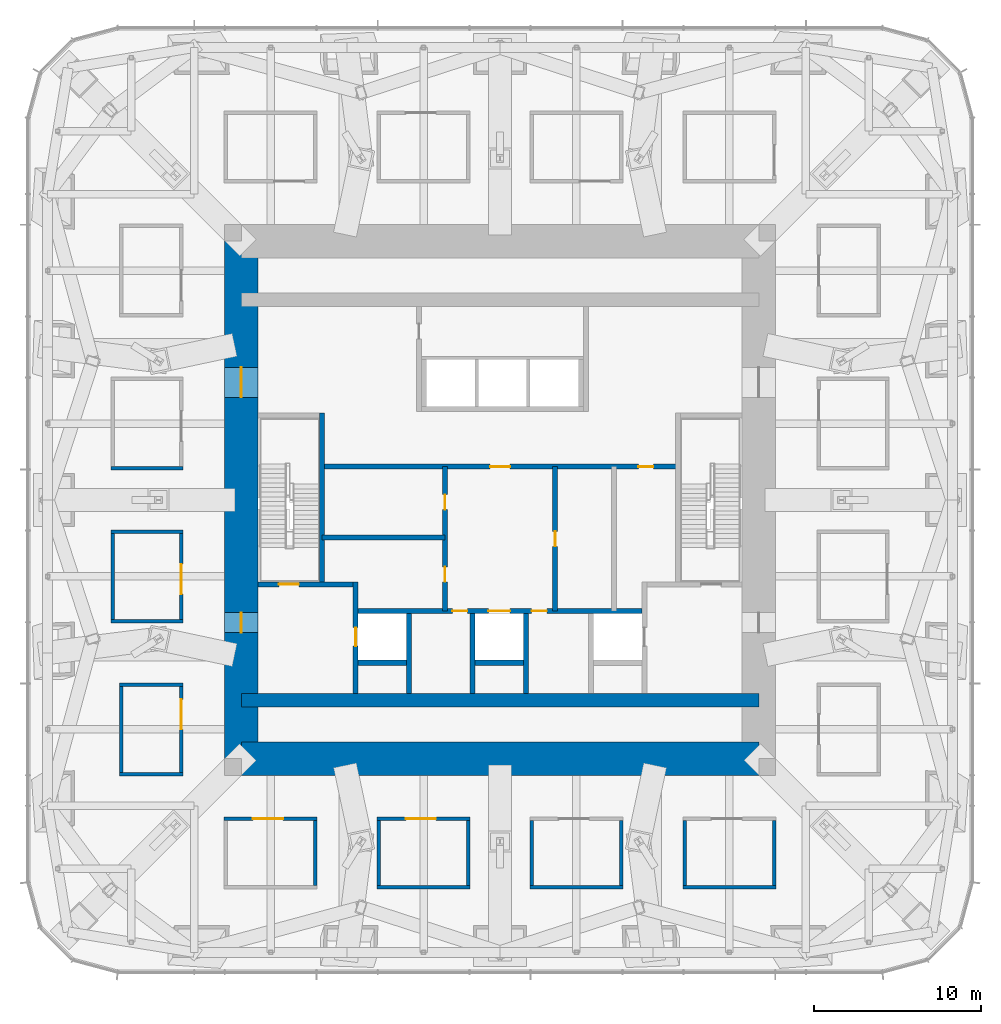
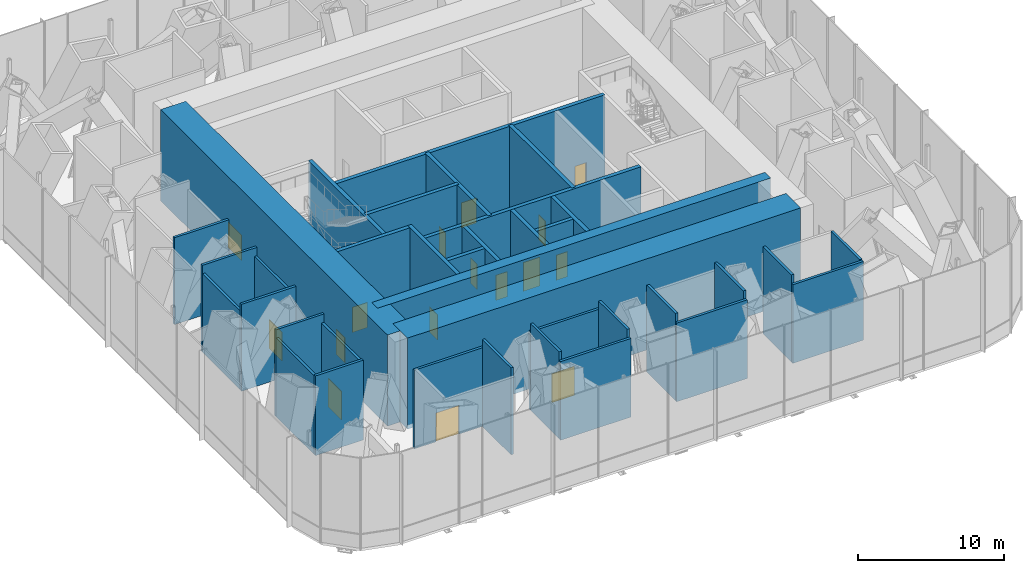
# One storey, part 12 of 16: 37 walls, 16 doors, 16 openings.
"""IFC4 building model written with IfcOpenShell, lengths in metres."""

from ifc_helpers import new_model, si_unit, direction, frame, frame_2d, origin, place, context, subcontext, project, spatial, rectangle, extrude, material, layer, layer_set, type_object, element, fill, save


model = new_model("IFC4")

# Units and contexts
model_context = context("Model", 3, precision=1e-05, world=origin(), true_north=direction((0.0, 1.0)))
body_context = subcontext(model_context, "Body", "Model", "MODEL_VIEW")
ifc_project = project(units=[si_unit("LENGTHUNIT", "METRE"), si_unit("AREAUNIT", "SQUARE_METRE"), si_unit("VOLUMEUNIT", "CUBIC_METRE"), si_unit("PLANEANGLEUNIT", "RADIAN"), si_unit("MASSUNIT", "GRAM", prefix="KILO")], contexts=[model_context])

# Site, building, storey
site_placement = place(None, origin())
site = spatial("IfcSite", under=ifc_project, at=site_placement, CompositionType="ELEMENT")
building_placement = place(site_placement, origin())
building = spatial("IfcBuilding", under=site, at=building_placement, Name="Khuree Lantern Residences", CompositionType="ELEMENT")
storey_placement = place(building_placement, frame((0.0, 0.0, 192.0)))
storey = spatial("IfcBuildingStorey", under=building, at=storey_placement, Name="L48", CompositionType="ELEMENT", Elevation=192.0)

# Wall, opening, door
ifc_material_1 = material(Name="Dense concrete blockwork", Category="masonry")
ifc_layer_1 = layer(ifc_material_1, 0.300048828125)
ifc_layer_set_1 = layer_set([ifc_layer_1], Name="CORE PARTITION WALL CPW300 EI 120")
wall_type_1 = type_object("IfcWallType", Name="CORE PARTITION WALL CPW300 EI 120", PredefinedType="PARTITIONING", material=ifc_layer_set_1)
wall_1_placement = place(storey_placement, frame((-8.64990234375, -11.60009765625, 0.0), z_axis=(0.0, 0.0, 1.0), x_axis=(0.0, 1.0, 0.0)))
wall_1 = element("IfcWall", 1, at=wall_1_placement, inside=storey, type_object=wall_type_1, Name="L48 CORE WALL FL1W", PredefinedType="PARTITIONING", context=body_context, shape_type="SweptSolid", body=[
    extrude(rectangle(XDim=6.7001953125, YDim=0.300048828125, at=frame_2d((3.35009765625, 0.0))), origin(), (0.0, 0.0, 1.0), 7.25),
])
opening_1_placement = place(wall_1_placement, frame((2.85009765625, 0.0, 0.0)))
opening_1 = element("IfcOpeningElement", 2, at=opening_1_placement, cuts=wall_1, Name="Opening 48-007", PredefinedType="OPENING", context=body_context, shape_type="SweptSolid", body=[
    extrude(rectangle(XDim=1.10009765625, YDim=2.10009765625, at=frame_2d((0.550048828125, 1.050048828125))), frame((0.0, 0.16015625, 0.0), z_axis=(0.0, -1.0, 0.0), x_axis=(1.0, 0.0, 0.0)), (0.0, 0.0, 1.0), 0.320068359375),
])
ifc_material_2 = material(Name="Stainless steel lift landing door", Category="steel")
door_type_1 = type_object("IfcDoorType", Name="LIFT LANDING DOOR 1100X2100 E 120", OperationType="DOUBLE_DOOR_SLIDING", PredefinedType="DOOR", material=ifc_material_2)
door_1_placement = place(opening_1_placement, origin())
door_1 = element("IfcDoor", 3, at=door_1_placement, inside=storey, type_object=door_type_1, Name="Landing door FL1 48-007", OperationType="DOUBLE_DOOR_SLIDING", OverallHeight=2.10009765625, OverallWidth=1.10009765625, PredefinedType="DOOR", context=body_context, shape_type="SweptSolid", body=[
    extrude(rectangle(XDim=1.10009765625, YDim=2.10009765625, at=frame_2d((0.550048828125, 1.050048828125))), frame((0.0, 0.02490234375, 0.0), z_axis=(0.0, -1.0, 0.0), x_axis=(1.0, 0.0, 0.0)), (0.0, 0.0, 1.0), 0.050048828125),
])
fill(opening_1, door_1)

# Wall, openings, doors
wall_2_placement = place(storey_placement, frame((-8.5, -6.64990234375, 0.0), z_axis=(0.0, 0.0, 1.0), x_axis=(1.0, 0.0, 0.0)))
wall_2 = element("IfcWall", 4, at=wall_2_placement, inside=storey, type_object=wall_type_1, Name="L48 CORE WALL FLROW", PredefinedType="PARTITIONING", context=body_context, shape_type="SweptSolid", body=[
    extrude(rectangle(XDim=17.0, YDim=0.300048828125, at=frame_2d((8.5, 0.0))), origin(), (0.0, 0.0, 1.0), 7.25),
])
opening_2_placement = place(wall_2_placement, frame((7.800048828125, 0.0, 0.0)))
opening_2 = element("IfcOpeningElement", 5, at=opening_2_placement, cuts=wall_2, Name="Opening 48-009", PredefinedType="OPENING", context=body_context, shape_type="SweptSolid", body=[
    extrude(rectangle(XDim=1.300048828125, YDim=2.39990234375, at=frame_2d((0.64990234375, 1.199951171875))), frame((0.0, 0.16015625, 0.0), z_axis=(0.0, -1.0, 0.0), x_axis=(1.0, 0.0, 0.0)), (0.0, 0.0, 1.0), 0.320068359375),
])
opening_3_placement = place(wall_2_placement, frame((5.64990234375, 0.0, 0.0)))
opening_3 = element("IfcOpeningElement", 6, at=opening_3_placement, cuts=wall_2, Name="Opening 48-011", PredefinedType="OPENING", context=body_context, shape_type="SweptSolid", body=[
    extrude(rectangle(XDim=0.89990234375, YDim=2.10009765625, at=frame_2d((0.449951171875, 1.050048828125))), frame((0.0, 0.16015625, 0.0), z_axis=(0.0, -1.0, 0.0), x_axis=(1.0, 0.0, 0.0)), (0.0, 0.0, 1.0), 0.320068359375),
])
opening_4_placement = place(wall_2_placement, frame((10.39990234375, 0.0, 0.0)))
opening_4 = element("IfcOpeningElement", 7, at=opening_4_placement, cuts=wall_2, Name="Opening 48-012", PredefinedType="OPENING", context=body_context, shape_type="SweptSolid", body=[
    extrude(rectangle(XDim=0.89990234375, YDim=2.10009765625, at=frame_2d((0.449951171875, 1.050048828125))), frame((0.0, 0.16015625, 0.0), z_axis=(0.0, -1.0, 0.0), x_axis=(1.0, 0.0, 0.0)), (0.0, 0.0, 1.0), 0.320068359375),
])
ifc_material_3 = material(Name="Steel door leaf in steel frame", Category="steel")
door_type_2 = type_object("IfcDoorType", Name="DOOR 900X2100 EI 60", OperationType="SINGLE_SWING_LEFT", PredefinedType="DOOR", material=ifc_material_3)
door_2_placement = place(opening_3_placement, origin())
door_2 = element("IfcDoor", 8, at=door_2_placement, inside=storey, type_object=door_type_2, Name="Electrical riser door 48-011", OperationType="SINGLE_SWING_LEFT", OverallHeight=2.10009765625, OverallWidth=0.89990234375, PredefinedType="DOOR", context=body_context, shape_type="SweptSolid", body=[
    extrude(rectangle(XDim=0.89990234375, YDim=2.10009765625, at=frame_2d((0.449951171875, 1.050048828125))), frame((0.0, 0.02490234375, 0.0), z_axis=(0.0, -1.0, 0.0), x_axis=(1.0, 0.0, 0.0)), (0.0, 0.0, 1.0), 0.050048828125),
])
fill(opening_3, door_2)
door_type_3 = type_object("IfcDoorType", Name="DOOR 900X2100 EI 60 RIGHT HAND", OperationType="SINGLE_SWING_RIGHT", PredefinedType="DOOR", material=ifc_material_3)
door_3_placement = place(opening_4_placement, origin())
door_3 = element("IfcDoor", 9, at=door_3_placement, inside=storey, type_object=door_type_3, Name="Plumbing riser door 48-012", OperationType="SINGLE_SWING_RIGHT", OverallHeight=2.10009765625, OverallWidth=0.89990234375, PredefinedType="DOOR", context=body_context, shape_type="SweptSolid", body=[
    extrude(rectangle(XDim=0.89990234375, YDim=2.10009765625, at=frame_2d((0.449951171875, 1.050048828125))), frame((0.0, 0.02490234375, 0.0), z_axis=(0.0, -1.0, 0.0), x_axis=(1.0, 0.0, 0.0)), (0.0, 0.0, 1.0), 0.050048828125),
])
fill(opening_4, door_3)
door_type_4 = type_object("IfcDoorType", Name="LIFT LANDING DOOR 1300X2400 E 60", OperationType="DOUBLE_DOOR_SLIDING", PredefinedType="DOOR", material=ifc_material_2)
door_4_placement = place(opening_2_placement, origin())
door_4 = element("IfcDoor", 10, at=door_4_placement, inside=storey, type_object=door_type_4, Name="Landing door SL1 48-009", OperationType="DOUBLE_DOOR_SLIDING", OverallHeight=2.39990234375, OverallWidth=1.300048828125, PredefinedType="DOOR", context=body_context, shape_type="SweptSolid", body=[
    extrude(rectangle(XDim=1.300048828125, YDim=2.39990234375, at=frame_2d((0.64990234375, 1.199951171875))), frame((0.0, 0.02490234375, 0.0), z_axis=(0.0, -1.0, 0.0), x_axis=(1.0, 0.0, 0.0)), (0.0, 0.0, 1.0), 0.050048828125),
])
fill(opening_2, door_4)

# Walls
for number, where, z_axis, x_axis, name in (
    (11, (-5.449951171875, -11.60009765625, 0.0), (0.0, 0.0, 1.0), (0.0, 1.0, 0.0), "L48 CORE WALL FL1E"),
    (12, (-1.64990234375, -11.60009765625, 0.0), (0.0, 0.0, 1.0), (0.0, 1.0, 0.0), "L48 CORE WALL SL1W"),
    (13, (1.550048828125, -11.60009765625, 0.0), (0.0, 0.0, 1.0), (0.0, 1.0, 0.0), "L48 CORE WALL SL1E"),
):
    element("IfcWall", number, at=place(storey_placement, frame(where, z_axis=z_axis, x_axis=x_axis)), inside=storey, type_object=wall_type_1, Name=name, PredefinedType="PARTITIONING", context=body_context, shape_type="SweptSolid", body=[
        extrude(rectangle(XDim=4.800048828125, YDim=0.300048828125, at=frame_2d((2.39990234375, 0.0))), origin(), (0.0, 0.0, 1.0), 7.25),
    ])
for number, where, z_axis, x_axis, name in (
    (14, (-8.5, -9.75, 0.0), (0.0, 0.0, 1.0), (1.0, 0.0, 0.0), "L48 CORE WALL FL1S"),
    (15, (-1.5, -9.75, 0.0), (0.0, 0.0, 1.0), (1.0, 0.0, 0.0), "L48 CORE WALL SL1S"),
):
    element("IfcWall", number, at=place(storey_placement, frame(where, z_axis=z_axis, x_axis=x_axis)), inside=storey, type_object=wall_type_1, Name=name, PredefinedType="PARTITIONING", context=body_context, shape_type="SweptSolid", body=[
        extrude(rectangle(XDim=2.89990234375, YDim=0.300048828125, at=frame_2d((1.449951171875, 0.0))), origin(), (0.0, 0.0, 1.0), 7.25),
    ])

# Wall, openings, doors
wall_3_placement = place(storey_placement, frame((-10.64990234375, 2.0, 0.0), z_axis=(0.0, 0.0, 1.0), x_axis=(1.0, 0.0, 0.0)))
wall_3 = element("IfcWall", 16, at=wall_3_placement, inside=storey, type_object=wall_type_1, Name="L48 CORE WALL LLS", PredefinedType="PARTITIONING", context=body_context, shape_type="SweptSolid", body=[
    extrude(rectangle(XDim=21.2998046875, YDim=0.300048828125, at=frame_2d((10.64990234375, 0.0))), origin(), (0.0, 0.0, 1.0), 7.25),
])
opening_5_placement = place(wall_3_placement, frame((10.050048828125, 0.0, 0.0)))
opening_5 = element("IfcOpeningElement", 17, at=opening_5_placement, cuts=wall_3, Name="Opening 48-010", PredefinedType="OPENING", context=body_context, shape_type="SweptSolid", body=[
    extrude(rectangle(XDim=1.199951171875, YDim=2.10009765625, at=frame_2d((0.60009765625, 1.050048828125))), frame((0.0, 0.16015625, 0.0), z_axis=(0.0, -1.0, 0.0), x_axis=(1.0, 0.0, 0.0)), (0.0, 0.0, 1.0), 0.320068359375),
])
opening_6_placement = place(wall_3_placement, frame((18.94189453125, 0.0, 0.0)))
opening_6 = element("IfcOpeningElement", 18, at=opening_6_placement, cuts=wall_3, Name="Opening 48-016", PredefinedType="OPENING", context=body_context, shape_type="SweptSolid", body=[
    extrude(rectangle(XDim=0.89990234375, YDim=2.10009765625, at=frame_2d((0.449951171875, 1.050048828125))), frame((0.0, 0.16015625, 0.0), z_axis=(0.0, -1.0, 0.0), x_axis=(1.0, 0.0, 0.0)), (0.0, 0.0, 1.0), 0.320068359375),
])
door_type_5 = type_object("IfcDoorType", Name="DOOR 1200X2100 EI 60", OperationType="SINGLE_SWING_LEFT", PredefinedType="DOOR", material=ifc_material_3)
door_5_placement = place(opening_5_placement, origin())
door_5 = element("IfcDoor", 19, at=door_5_placement, inside=storey, type_object=door_type_5, Name="Service lift lobby door 48-010", OperationType="SINGLE_SWING_LEFT", OverallHeight=2.10009765625, OverallWidth=1.199951171875, PredefinedType="DOOR", context=body_context, shape_type="SweptSolid", body=[
    extrude(rectangle(XDim=1.199951171875, YDim=2.10009765625, at=frame_2d((0.60009765625, 1.050048828125))), frame((0.0, 0.02490234375, 0.0), z_axis=(0.0, -1.0, 0.0), x_axis=(1.0, 0.0, 0.0)), (0.0, 0.0, 1.0), 0.050048828125),
])
fill(opening_5, door_5)
ifc_material_4 = material(Name="Timber door leaf in hardwood frame", Category="wood")
door_type_6 = type_object("IfcDoorType", Name="DOOR 900X2100 RIGHT HAND", OperationType="SINGLE_SWING_RIGHT", PredefinedType="DOOR", material=ifc_material_4)
door_6_placement = place(opening_6_placement, origin())
door_6 = element("IfcDoor", 20, at=door_6_placement, inside=storey, type_object=door_type_6, Name="Store door 48-016", OperationType="SINGLE_SWING_RIGHT", OverallHeight=2.10009765625, OverallWidth=0.89990234375, PredefinedType="DOOR", context=body_context, shape_type="SweptSolid", body=[
    extrude(rectangle(XDim=0.89990234375, YDim=2.10009765625, at=frame_2d((0.449951171875, 1.050048828125))), frame((0.0, 0.02490234375, 0.0), z_axis=(0.0, -1.0, 0.0), x_axis=(1.0, 0.0, 0.0)), (0.0, 0.0, 1.0), 0.050048828125),
])
fill(opening_6, door_6)

wall_4_placement = place(storey_placement, frame((-3.300048828125, -6.64990234375, 0.0), z_axis=(0.0, 0.0, 1.0), x_axis=(0.0, 1.0, 0.0)))
wall_4 = element("IfcWall", 21, at=wall_4_placement, inside=storey, type_object=wall_type_1, Name="L48 CORE WALL SVW", PredefinedType="PARTITIONING", context=body_context, shape_type="SweptSolid", body=[
    extrude(rectangle(XDim=8.64990234375, YDim=0.300048828125, at=frame_2d((4.324951171875, 0.0))), origin(), (0.0, 0.0, 1.0), 7.25),
])
opening_7_placement = place(wall_4_placement, frame((1.75, 0.0, 0.0)))
opening_7 = element("IfcOpeningElement", 22, at=opening_7_placement, cuts=wall_4, Name="Opening 48-013", PredefinedType="OPENING", context=body_context, shape_type="SweptSolid", body=[
    extrude(rectangle(XDim=0.89990234375, YDim=2.10009765625, at=frame_2d((0.449951171875, 1.050048828125))), frame((0.0, 0.16015625, 0.0), z_axis=(0.0, -1.0, 0.0), x_axis=(1.0, 0.0, 0.0)), (0.0, 0.0, 1.0), 0.320068359375),
])
opening_8_placement = place(wall_4_placement, frame((6.074951171875, 0.0, 0.0)))
opening_8 = element("IfcOpeningElement", 23, at=opening_8_placement, cuts=wall_4, Name="Opening 48-014", PredefinedType="OPENING", context=body_context, shape_type="SweptSolid", body=[
    extrude(rectangle(XDim=0.89990234375, YDim=2.10009765625, at=frame_2d((0.449951171875, 1.050048828125))), frame((0.0, 0.16015625, 0.0), z_axis=(0.0, -1.0, 0.0), x_axis=(1.0, 0.0, 0.0)), (0.0, 0.0, 1.0), 0.320068359375),
])
door_type_7 = type_object("IfcDoorType", Name="DOOR 900X2100", OperationType="SINGLE_SWING_LEFT", PredefinedType="DOOR", material=ifc_material_4)
door_7_placement = place(opening_7_placement, origin())
door_7 = element("IfcDoor", 24, at=door_7_placement, inside=storey, type_object=door_type_7, Name="Store door 48-013", OperationType="SINGLE_SWING_LEFT", OverallHeight=2.10009765625, OverallWidth=0.89990234375, PredefinedType="DOOR", context=body_context, shape_type="SweptSolid", body=[
    extrude(rectangle(XDim=0.89990234375, YDim=2.10009765625, at=frame_2d((0.449951171875, 1.050048828125))), frame((0.0, 0.02490234375, 0.0), z_axis=(0.0, -1.0, 0.0), x_axis=(1.0, 0.0, 0.0)), (0.0, 0.0, 1.0), 0.050048828125),
])
fill(opening_7, door_7)
door_8_placement = place(opening_8_placement, origin())
door_8 = element("IfcDoor", 25, at=door_8_placement, inside=storey, type_object=door_type_7, Name="Store door 48-014", OperationType="SINGLE_SWING_LEFT", OverallHeight=2.10009765625, OverallWidth=0.89990234375, PredefinedType="DOOR", context=body_context, shape_type="SweptSolid", body=[
    extrude(rectangle(XDim=0.89990234375, YDim=2.10009765625, at=frame_2d((0.449951171875, 1.050048828125))), frame((0.0, 0.02490234375, 0.0), z_axis=(0.0, -1.0, 0.0), x_axis=(1.0, 0.0, 0.0)), (0.0, 0.0, 1.0), 0.050048828125),
])
fill(opening_8, door_8)

# Wall, opening, door
wall_5_placement = place(storey_placement, frame((3.300048828125, -6.64990234375, 0.0), z_axis=(0.0, 0.0, 1.0), x_axis=(0.0, 1.0, 0.0)))
wall_5 = element("IfcWall", 26, at=wall_5_placement, inside=storey, type_object=wall_type_1, Name="L48 CORE WALL SVE", PredefinedType="PARTITIONING", context=body_context, shape_type="SweptSolid", body=[
    extrude(rectangle(XDim=8.64990234375, YDim=0.300048828125, at=frame_2d((4.324951171875, 0.0))), origin(), (0.0, 0.0, 1.0), 7.25),
])
opening_9_placement = place(wall_5_placement, frame((3.875, 0.0, 0.0)))
opening_9 = element("IfcOpeningElement", 27, at=opening_9_placement, cuts=wall_5, Name="Opening 48-015", PredefinedType="OPENING", context=body_context, shape_type="SweptSolid", body=[
    extrude(rectangle(XDim=0.89990234375, YDim=2.10009765625, at=frame_2d((0.449951171875, 1.050048828125))), frame((0.0, 0.16015625, 0.0), z_axis=(0.0, -1.0, 0.0), x_axis=(1.0, 0.0, 0.0)), (0.0, 0.0, 1.0), 0.320068359375),
])
door_9_placement = place(opening_9_placement, origin())
door_9 = element("IfcDoor", 28, at=door_9_placement, inside=storey, type_object=door_type_7, Name="Store door 48-015", OperationType="SINGLE_SWING_LEFT", OverallHeight=2.10009765625, OverallWidth=0.89990234375, PredefinedType="DOOR", context=body_context, shape_type="SweptSolid", body=[
    extrude(rectangle(XDim=0.89990234375, YDim=2.10009765625, at=frame_2d((0.449951171875, 1.050048828125))), frame((0.0, 0.02490234375, 0.0), z_axis=(0.0, -1.0, 0.0), x_axis=(1.0, 0.0, 0.0)), (0.0, 0.0, 1.0), 0.050048828125),
])
fill(opening_9, door_9)

# Walls
wall_6_placement = place(storey_placement, frame((-10.64990234375, -2.25, 0.0), z_axis=(0.0, 0.0, 1.0), x_axis=(1.0, 0.0, 0.0)))
element("IfcWall", 29, at=wall_6_placement, inside=storey, type_object=wall_type_1, Name="L48 CORE WALL WX", PredefinedType="PARTITIONING", context=body_context, shape_type="SweptSolid", body=[
    extrude(rectangle(XDim=7.349853515625, YDim=0.300048828125, at=frame_2d((3.6748046875, 0.0))), origin(), (0.0, 0.0, 1.0), 7.25),
])
ifc_material_5 = material(Name="Concrete C70/85", Category="concrete")
ifc_layer_2 = layer(ifc_material_5, 2.0)
ifc_layer_set_2 = layer_set([ifc_layer_2], Name="CW2000-C70 CORE WALL C70 2000")
wall_type_2 = type_object("IfcWallType", Name="CW2000-C70 CORE WALL C70 2000", PredefinedType="SHEAR", material=ifc_layer_set_2)
wall_7_placement = place(storey_placement, frame((-15.5, -15.5, -0.35009765625), z_axis=(0.0, 0.0, 1.0), x_axis=(1.0, 0.0, 0.0)))
element("IfcWall", 30, at=wall_7_placement, inside=storey, type_object=wall_type_2, Name="Core wall S", PredefinedType="SHEAR", context=body_context, shape_type="SweptSolid", body=[
    extrude(rectangle(XDim=31.0, YDim=2.0, at=frame_2d((15.5, 0.0))), origin(), (0.0, 0.0, 1.0), 7.60009765625),
])

# Wall, openings, doors
wall_8_placement = place(storey_placement, frame((-15.5, -15.5, -0.35009765625), z_axis=(0.0, 0.0, 1.0), x_axis=(0.0, 1.0, 0.0)))
wall_8 = element("IfcWall", 31, at=wall_8_placement, inside=storey, type_object=wall_type_2, Name="Core wall W", PredefinedType="SHEAR", context=body_context, shape_type="SweptSolid", body=[
    extrude(rectangle(XDim=31.0, YDim=2.0, at=frame_2d((15.5, 0.0))), origin(), (0.0, 0.0, 1.0), 7.60009765625),
])
opening_10_placement = place(wall_8_placement, frame((7.550048828125, 0.0, 0.35009765625)))
opening_10 = element("IfcOpeningElement", 32, at=opening_10_placement, cuts=wall_8, Name="Opening 48-002", PredefinedType="OPENING", context=body_context, shape_type="SweptSolid", body=[
    extrude(rectangle(XDim=1.199951171875, YDim=2.10009765625, at=frame_2d((0.60009765625, 1.050048828125))), frame((0.0, 1.010009765625, 0.0), z_axis=(0.0, -1.0, 0.0), x_axis=(1.0, 0.0, 0.0)), (0.0, 0.0, 1.0), 2.02001953125),
])
opening_11_placement = place(wall_8_placement, frame((21.64990234375, 0.0, 0.35009765625)))
opening_11 = element("IfcOpeningElement", 33, at=opening_11_placement, cuts=wall_8, Name="Opening 48-003", PredefinedType="OPENING", context=body_context, shape_type="SweptSolid", body=[
    extrude(rectangle(XDim=1.800048828125, YDim=2.10009765625, at=frame_2d((0.89990234375, 1.050048828125))), frame((0.0, 1.010009765625, 0.0), z_axis=(0.0, -1.0, 0.0), x_axis=(1.0, 0.0, 0.0)), (0.0, 0.0, 1.0), 2.02001953125),
])
door_type_8 = type_object("IfcDoorType", Name="LOBBY DOOR 1200X2100 EI 120", OperationType="SINGLE_SWING_LEFT", PredefinedType="DOOR", material=ifc_material_3)
door_10_placement = place(opening_10_placement, origin())
door_10 = element("IfcDoor", 34, at=door_10_placement, inside=storey, type_object=door_type_8, Name="Firefighting lobby door 48-002", OperationType="SINGLE_SWING_LEFT", OverallHeight=2.10009765625, OverallWidth=1.199951171875, PredefinedType="DOOR", context=body_context, shape_type="SweptSolid", body=[
    extrude(rectangle(XDim=1.199951171875, YDim=2.10009765625, at=frame_2d((0.60009765625, 1.050048828125))), frame((0.0, 0.02490234375, 0.0), z_axis=(0.0, -1.0, 0.0), x_axis=(1.0, 0.0, 0.0)), (0.0, 0.0, 1.0), 0.050048828125),
])
fill(opening_10, door_10)
door_type_9 = type_object("IfcDoorType", Name="LOBBY DOUBLE DOOR 1800X2100 EI 60", OperationType="DOUBLE_DOOR_SINGLE_SWING", PredefinedType="DOOR", material=ifc_material_3)
door_11_placement = place(opening_11_placement, origin())
door_11 = element("IfcDoor", 35, at=door_11_placement, inside=storey, type_object=door_type_9, Name="Lift lobby door 48-003", OperationType="DOUBLE_DOOR_SINGLE_SWING", OverallHeight=2.10009765625, OverallWidth=1.800048828125, PredefinedType="DOOR", context=body_context, shape_type="SweptSolid", body=[
    extrude(rectangle(XDim=1.800048828125, YDim=2.10009765625, at=frame_2d((0.89990234375, 1.050048828125))), frame((0.0, 0.02490234375, 0.0), z_axis=(0.0, -1.0, 0.0), x_axis=(1.0, 0.0, 0.0)), (0.0, 0.0, 1.0), 0.050048828125),
])
fill(opening_11, door_11)

# Walls
ifc_layer_3 = layer(ifc_material_1, 0.199951171875)
ifc_layer_set_3 = layer_set([ifc_layer_3], Name="FIRE-RATED ROOM WALL FRW200 EI 120")
wall_type_3 = type_object("IfcWallType", Name="FIRE-RATED ROOM WALL FRW200 EI 120", PredefinedType="SOLIDWALL", material=ifc_layer_set_3)
for number, where, z_axis, x_axis, name in (
    (36, (-7.360107421875, -23.199951171875, 0.0), (0.0, 0.0, 1.0), (1.0, 0.0, 0.0), "L48 ROOM WALL 2"),
    (37, (1.800048828125, -23.199951171875, 0.0), (0.0, 0.0, 1.0), (1.0, 0.0, 0.0), "L48 ROOM WALL 3"),
    (38, (10.9599609375, -23.199951171875, 0.0), (0.0, 0.0, 1.0), (1.0, 0.0, 0.0), "L48 ROOM WALL 4"),
):
    element("IfcWall", number, at=place(storey_placement, frame(where, z_axis=z_axis, x_axis=x_axis)), inside=storey, type_object=wall_type_3, Name=name, PredefinedType="SOLIDWALL", context=body_context, shape_type="SweptSolid", body=[
        extrude(rectangle(XDim=5.56005859375, YDim=0.199951171875, at=frame_2d((2.780029296875, 0.0))), origin(), (0.0, 0.0, 1.0), 6.56005859375),
    ])
for number, where, z_axis, x_axis, name in (
    (39, (-11.06005859375, -23.10009765625, 0.0), (0.0, 0.0, 1.0), (0.0, 1.0, 0.0), "L48 ROOM WALL 6"),
    (40, (-7.260009765625, -23.10009765625, 0.0), (0.0, 0.0, 1.0), (0.0, 1.0, 0.0), "L48 ROOM WALL 7"),
    (41, (-1.89990234375, -23.10009765625, 0.0), (0.0, 0.0, 1.0), (0.0, 1.0, 0.0), "L48 ROOM WALL 8"),
    (42, (1.89990234375, -23.10009765625, 0.0), (0.0, 0.0, 1.0), (0.0, 1.0, 0.0), "L48 ROOM WALL 9"),
    (43, (7.260009765625, -23.10009765625, 0.0), (0.0, 0.0, 1.0), (0.0, 1.0, 0.0), "L48 ROOM WALL 10"),
    (44, (11.06005859375, -23.10009765625, 0.0), (0.0, 0.0, 1.0), (0.0, 1.0, 0.0), "L48 ROOM WALL 11"),
):
    element("IfcWall", number, at=place(storey_placement, frame(where, z_axis=z_axis, x_axis=x_axis)), inside=storey, type_object=wall_type_3, Name=name, PredefinedType="SOLIDWALL", context=body_context, shape_type="SweptSolid", body=[
        extrude(rectangle(XDim=3.900146484375, YDim=0.199951171875, at=frame_2d((1.9501953125, 0.0))), origin(), (0.0, 0.0, 1.0), 7.25),
    ])
wall_9_placement = place(storey_placement, frame((16.419921875, -23.10009765625, 0.0), z_axis=(0.0, 0.0, 1.0), x_axis=(0.0, 1.0, 0.0)))
element("IfcWall", 45, at=wall_9_placement, inside=storey, type_object=wall_type_3, Name="L48 ROOM WALL 12", PredefinedType="SOLIDWALL", context=body_context, shape_type="SweptSolid", body=[
    extrude(rectangle(XDim=3.900146484375, YDim=0.199951171875, at=frame_2d((1.9501953125, 0.0))), origin(), (0.0, 0.0, 1.0), 6.64990234375),
])

# Wall, opening, door
wall_10_placement = place(storey_placement, frame((-16.52001953125, -19.10009765625, 0.0), z_axis=(0.0, 0.0, 1.0), x_axis=(1.0, 0.0, 0.0)))
wall_10 = element("IfcWall", 46, at=wall_10_placement, inside=storey, type_object=wall_type_3, Name="L48 ROOM WALL 13", PredefinedType="SOLIDWALL", context=body_context, shape_type="SweptSolid", body=[
    extrude(rectangle(XDim=5.56005859375, YDim=0.199951171875, at=frame_2d((2.780029296875, 0.0))), origin(), (0.0, 0.0, 1.0), 6.56005859375),
])
opening_12_placement = place(wall_10_placement, frame((1.721923828125, 0.0, 0.0)))
opening_12 = element("IfcOpeningElement", 47, at=opening_12_placement, cuts=wall_10, Name="Opening 48-032", PredefinedType="OPENING", context=body_context, shape_type="SweptSolid", body=[
    extrude(rectangle(XDim=1.800048828125, YDim=2.39990234375, at=frame_2d((0.89990234375, 1.199951171875))), frame((0.0, 0.10986328125, 0.0), z_axis=(0.0, -1.0, 0.0), x_axis=(1.0, 0.0, 0.0)), (0.0, 0.0, 1.0), 0.219970703125),
])
door_type_10 = type_object("IfcDoorType", Name="PLANT ROOM DOOR 1800X2400 EI 60", OperationType="DOUBLE_DOOR_SINGLE_SWING", PredefinedType="DOOR", material=ifc_material_3)
door_12_placement = place(opening_12_placement, origin())
door_12 = element("IfcDoor", 48, at=door_12_placement, inside=storey, type_object=door_type_10, Name="Plant maintenance workshop door 48-032", OperationType="DOUBLE_DOOR_SINGLE_SWING", OverallHeight=2.39990234375, OverallWidth=1.800048828125, PredefinedType="DOOR", context=body_context, shape_type="SweptSolid", body=[
    extrude(rectangle(XDim=1.800048828125, YDim=2.39990234375, at=frame_2d((0.89990234375, 1.199951171875))), frame((0.0, 0.02490234375, 0.0), z_axis=(0.0, -1.0, 0.0), x_axis=(1.0, 0.0, 0.0)), (0.0, 0.0, 1.0), 0.050048828125),
])
fill(opening_12, door_12)

wall_11_placement = place(storey_placement, frame((-7.360107421875, -19.10009765625, 0.0), z_axis=(0.0, 0.0, 1.0), x_axis=(1.0, 0.0, 0.0)))
wall_11 = element("IfcWall", 49, at=wall_11_placement, inside=storey, type_object=wall_type_3, Name="L48 ROOM WALL 14", PredefinedType="SOLIDWALL", context=body_context, shape_type="SweptSolid", body=[
    extrude(rectangle(XDim=5.56005859375, YDim=0.199951171875, at=frame_2d((2.780029296875, 0.0))), origin(), (0.0, 0.0, 1.0), 6.56005859375),
])
opening_13_placement = place(wall_11_placement, frame((1.721923828125, 0.0, 0.0)))
opening_13 = element("IfcOpeningElement", 50, at=opening_13_placement, cuts=wall_11, Name="Opening 48-030", PredefinedType="OPENING", context=body_context, shape_type="SweptSolid", body=[
    extrude(rectangle(XDim=1.800048828125, YDim=2.39990234375, at=frame_2d((0.89990234375, 1.199951171875))), frame((0.0, 0.10986328125, 0.0), z_axis=(0.0, -1.0, 0.0), x_axis=(1.0, 0.0, 0.0)), (0.0, 0.0, 1.0), 0.219970703125),
])
door_13_placement = place(opening_13_placement, origin())
door_13 = element("IfcDoor", 51, at=door_13_placement, inside=storey, type_object=door_type_10, Name="Heat exchanger plant room door 48-030", OperationType="DOUBLE_DOOR_SINGLE_SWING", OverallHeight=2.39990234375, OverallWidth=1.800048828125, PredefinedType="DOOR", context=body_context, shape_type="SweptSolid", body=[
    extrude(rectangle(XDim=1.800048828125, YDim=2.39990234375, at=frame_2d((0.89990234375, 1.199951171875))), frame((0.0, 0.02490234375, 0.0), z_axis=(0.0, -1.0, 0.0), x_axis=(1.0, 0.0, 0.0)), (0.0, 0.0, 1.0), 0.050048828125),
])
fill(opening_13, door_13)

# Walls
wall_12_placement = place(storey_placement, frame((-22.780029296875, -16.419921875, 0.0), z_axis=(0.0, 0.0, 1.0), x_axis=(1.0, 0.0, 0.0)))
element("IfcWall", 52, at=wall_12_placement, inside=storey, type_object=wall_type_3, Name="L48 ROOM WALL 17", PredefinedType="SOLIDWALL", context=body_context, shape_type="SweptSolid", body=[
    extrude(rectangle(XDim=3.780029296875, YDim=0.199951171875, at=frame_2d((1.89013671875, 0.0))), origin(), (0.0, 0.0, 1.0), 6.64990234375),
])
wall_13_placement = place(storey_placement, frame((-22.679931640625, -16.320068359375, 0.0), z_axis=(0.0, 0.0, 1.0), x_axis=(0.0, 1.0, 0.0)))
element("IfcWall", 53, at=wall_13_placement, inside=storey, type_object=wall_type_3, Name="L48 ROOM WALL 19", PredefinedType="SOLIDWALL", context=body_context, shape_type="SweptSolid", body=[
    extrude(rectangle(XDim=5.16015625, YDim=0.199951171875, at=frame_2d((2.580078125, 0.0))), origin(), (0.0, 0.0, 1.0), 6.56005859375),
])

# Wall, opening, door
wall_14_placement = place(storey_placement, frame((-19.10009765625, -16.320068359375, 0.0), z_axis=(0.0, 0.0, 1.0), x_axis=(0.0, 1.0, 0.0)))
wall_14 = element("IfcWall", 54, at=wall_14_placement, inside=storey, type_object=wall_type_3, Name="L48 ROOM WALL 20", PredefinedType="SOLIDWALL", context=body_context, shape_type="SweptSolid", body=[
    extrude(rectangle(XDim=5.16015625, YDim=0.199951171875, at=frame_2d((2.580078125, 0.0))), origin(), (0.0, 0.0, 1.0), 6.56005859375),
])
opening_14_placement = place(wall_14_placement, frame((2.575927734375, 0.0, 0.0)))
opening_14 = element("IfcOpeningElement", 55, at=opening_14_placement, cuts=wall_14, Name="Opening 48-029", PredefinedType="OPENING", context=body_context, shape_type="SweptSolid", body=[
    extrude(rectangle(XDim=1.800048828125, YDim=2.39990234375, at=frame_2d((0.89990234375, 1.199951171875))), frame((0.0, 0.10986328125, 0.0), z_axis=(0.0, -1.0, 0.0), x_axis=(1.0, 0.0, 0.0)), (0.0, 0.0, 1.0), 0.219970703125),
])
door_14_placement = place(opening_14_placement, origin())
door_14 = element("IfcDoor", 56, at=door_14_placement, inside=storey, type_object=door_type_10, Name="Water treatment plant room door 48-029", OperationType="DOUBLE_DOOR_SINGLE_SWING", OverallHeight=2.39990234375, OverallWidth=1.800048828125, PredefinedType="DOOR", context=body_context, shape_type="SweptSolid", body=[
    extrude(rectangle(XDim=1.800048828125, YDim=2.39990234375, at=frame_2d((0.89990234375, 1.199951171875))), frame((0.0, 0.02490234375, 0.0), z_axis=(0.0, -1.0, 0.0), x_axis=(1.0, 0.0, 0.0)), (0.0, 0.0, 1.0), 0.050048828125),
])
fill(opening_14, door_14)

# Walls
wall_15_placement = place(storey_placement, frame((-22.780029296875, -11.06005859375, 0.0), z_axis=(0.0, 0.0, 1.0), x_axis=(1.0, 0.0, 0.0)))
element("IfcWall", 57, at=wall_15_placement, inside=storey, type_object=wall_type_3, Name="L48 ROOM WALL 23", PredefinedType="SOLIDWALL", context=body_context, shape_type="SweptSolid", body=[
    extrude(rectangle(XDim=3.780029296875, YDim=0.199951171875, at=frame_2d((1.89013671875, 0.0))), origin(), (0.0, 0.0, 1.0), 7.25),
])
wall_16_placement = place(storey_placement, frame((-23.300048828125, -7.260009765625, 0.0), z_axis=(0.0, 0.0, 1.0), x_axis=(1.0, 0.0, 0.0)))
element("IfcWall", 58, at=wall_16_placement, inside=storey, type_object=wall_type_3, Name="L48 ROOM WALL 25", PredefinedType="SOLIDWALL", context=body_context, shape_type="SweptSolid", body=[
    extrude(rectangle(XDim=4.300048828125, YDim=0.199951171875, at=frame_2d((2.14990234375, 0.0))), origin(), (0.0, 0.0, 1.0), 7.25),
])
wall_17_placement = place(storey_placement, frame((-23.199951171875, -7.159912109375, 0.0), z_axis=(0.0, 0.0, 1.0), x_axis=(0.0, 1.0, 0.0)))
element("IfcWall", 59, at=wall_17_placement, inside=storey, type_object=wall_type_3, Name="L48 ROOM WALL 27", PredefinedType="SOLIDWALL", context=body_context, shape_type="SweptSolid", body=[
    extrude(rectangle(XDim=5.159912109375, YDim=0.199951171875, at=frame_2d((2.580078125, 0.0))), origin(), (0.0, 0.0, 1.0), 6.56005859375),
])

# Wall, opening, door
wall_18_placement = place(storey_placement, frame((-19.10009765625, -7.159912109375, 0.0), z_axis=(0.0, 0.0, 1.0), x_axis=(0.0, 1.0, 0.0)))
wall_18 = element("IfcWall", 60, at=wall_18_placement, inside=storey, type_object=wall_type_3, Name="L48 ROOM WALL 28", PredefinedType="SOLIDWALL", context=body_context, shape_type="SweptSolid", body=[
    extrude(rectangle(XDim=5.159912109375, YDim=0.199951171875, at=frame_2d((2.580078125, 0.0))), origin(), (0.0, 0.0, 1.0), 6.56005859375),
])
opening_15_placement = place(wall_18_placement, frame((1.52197265625, 0.0, 0.0)))
opening_15 = element("IfcOpeningElement", 61, at=opening_15_placement, cuts=wall_18, Name="Opening 48-027", PredefinedType="OPENING", context=body_context, shape_type="SweptSolid", body=[
    extrude(rectangle(XDim=1.800048828125, YDim=2.39990234375, at=frame_2d((0.89990234375, 1.199951171875))), frame((0.0, 0.10986328125, 0.0), z_axis=(0.0, -1.0, 0.0), x_axis=(1.0, 0.0, 0.0)), (0.0, 0.0, 1.0), 0.219970703125),
])
door_15_placement = place(opening_15_placement, origin())
door_15 = element("IfcDoor", 62, at=door_15_placement, inside=storey, type_object=door_type_10, Name="AHU plant room door 48-027", OperationType="DOUBLE_DOOR_SINGLE_SWING", OverallHeight=2.39990234375, OverallWidth=1.800048828125, PredefinedType="DOOR", context=body_context, shape_type="SweptSolid", body=[
    extrude(rectangle(XDim=1.800048828125, YDim=2.39990234375, at=frame_2d((0.89990234375, 1.199951171875))), frame((0.0, 0.02490234375, 0.0), z_axis=(0.0, -1.0, 0.0), x_axis=(1.0, 0.0, 0.0)), (0.0, 0.0, 1.0), 0.050048828125),
])
fill(opening_15, door_15)

# Walls
for number, where, z_axis, x_axis, name in (
    (63, (-23.300048828125, -1.89990234375, 0.0), (0.0, 0.0, 1.0), (1.0, 0.0, 0.0), "L48 ROOM WALL 31"),
    (64, (-23.300048828125, 1.89990234375, 0.0), (0.0, 0.0, 1.0), (1.0, 0.0, 0.0), "L48 ROOM WALL 33"),
):
    element("IfcWall", number, at=place(storey_placement, frame(where, z_axis=z_axis, x_axis=x_axis)), inside=storey, type_object=wall_type_3, Name=name, PredefinedType="SOLIDWALL", context=body_context, shape_type="SweptSolid", body=[
        extrude(rectangle(XDim=4.300048828125, YDim=0.199951171875, at=frame_2d((2.14990234375, 0.0))), origin(), (0.0, 0.0, 1.0), 7.25),
    ])
ifc_layer_4 = layer(ifc_material_5, 0.800048828125)
ifc_layer_set_4 = layer_set([ifc_layer_4], Name="SP800-C70 CORE SPINE WALL C70 800")
wall_type_4 = type_object("IfcWallType", Name="SP800-C70 CORE SPINE WALL C70 800", PredefinedType="SHEAR", material=ifc_layer_set_4)
wall_19_placement = place(storey_placement, frame((-15.5, -12.0, -0.35009765625), z_axis=(0.0, 0.0, 1.0), x_axis=(1.0, 0.0, 0.0)))
element("IfcWall", 65, at=wall_19_placement, inside=storey, type_object=wall_type_4, Name="Core wall SPS", PredefinedType="SHEAR", context=body_context, shape_type="SweptSolid", body=[
    extrude(rectangle(XDim=31.0, YDim=0.800048828125, at=frame_2d((15.5, 0.0))), origin(), (0.0, 0.0, 1.0), 7.60009765625),
])
ifc_material_6 = material(Name="Concrete C50/60", Category="concrete")
ifc_layer_5 = layer(ifc_material_6, 0.300048828125)
ifc_layer_set_5 = layer_set([ifc_layer_5], Name="STAIR WALL SRW300 C50/60 REI 240")
wall_type_5 = type_object("IfcWallType", Name="STAIR WALL SRW300 C50/60 REI 240", PredefinedType="SOLIDWALL", material=ifc_layer_set_5)
wall_20_placement = place(storey_placement, frame((-10.64990234375, -4.89990234375, 0.0), z_axis=(0.0, 0.0, 1.0), x_axis=(0.0, 1.0, 0.0)))
element("IfcWall", 66, at=wall_20_placement, inside=storey, type_object=wall_type_5, Name="L48 STAIR WALL ST1E", PredefinedType="SOLIDWALL", context=body_context, shape_type="SweptSolid", body=[
    extrude(rectangle(XDim=10.099853515625, YDim=0.300048828125, at=frame_2d((5.0498046875, 0.0))), origin(), (0.0, 0.0, 1.0), 7.25),
])

# Wall, opening, door
wall_21_placement = place(storey_placement, frame((-14.5, -5.050048828125, 0.0), z_axis=(0.0, 0.0, 1.0), x_axis=(1.0, 0.0, 0.0)))
wall_21 = element("IfcWall", 67, at=wall_21_placement, inside=storey, type_object=wall_type_5, Name="L48 STAIR WALL ST1S", PredefinedType="SOLIDWALL", context=body_context, shape_type="SweptSolid", body=[
    extrude(rectangle(XDim=5.699951171875, YDim=0.300048828125, at=frame_2d((2.85009765625, 0.0))), origin(), (0.0, 0.0, 1.0), 7.25),
])
opening_16_placement = place(wall_21_placement, frame((1.25, 0.0, 0.0)))
opening_16 = element("IfcOpeningElement", 68, at=opening_16_placement, cuts=wall_21, Name="Opening 48-001", PredefinedType="OPENING", context=body_context, shape_type="SweptSolid", body=[
    extrude(rectangle(XDim=1.199951171875, YDim=2.10009765625, at=frame_2d((0.60009765625, 1.050048828125))), frame((0.0, 0.16015625, 0.0), z_axis=(0.0, -1.0, 0.0), x_axis=(1.0, 0.0, 0.0)), (0.0, 0.0, 1.0), 0.320068359375),
])
door_type_11 = type_object("IfcDoorType", Name="STAIR DOOR 1200X2100 EI 120", OperationType="SINGLE_SWING_LEFT", PredefinedType="DOOR", material=ifc_material_3)
door_16_placement = place(opening_16_placement, origin())
door_16 = element("IfcDoor", 69, at=door_16_placement, inside=storey, type_object=door_type_11, Name="Stair ST1 door 48-001", OperationType="SINGLE_SWING_LEFT", OverallHeight=2.10009765625, OverallWidth=1.199951171875, PredefinedType="DOOR", context=body_context, shape_type="SweptSolid", body=[
    extrude(rectangle(XDim=1.199951171875, YDim=2.10009765625, at=frame_2d((0.60009765625, 1.050048828125))), frame((0.0, 0.02490234375, 0.0), z_axis=(0.0, -1.0, 0.0), x_axis=(1.0, 0.0, 0.0)), (0.0, 0.0, 1.0), 0.050048828125),
])
fill(opening_16, door_16)

save(model, "model.ifc")
